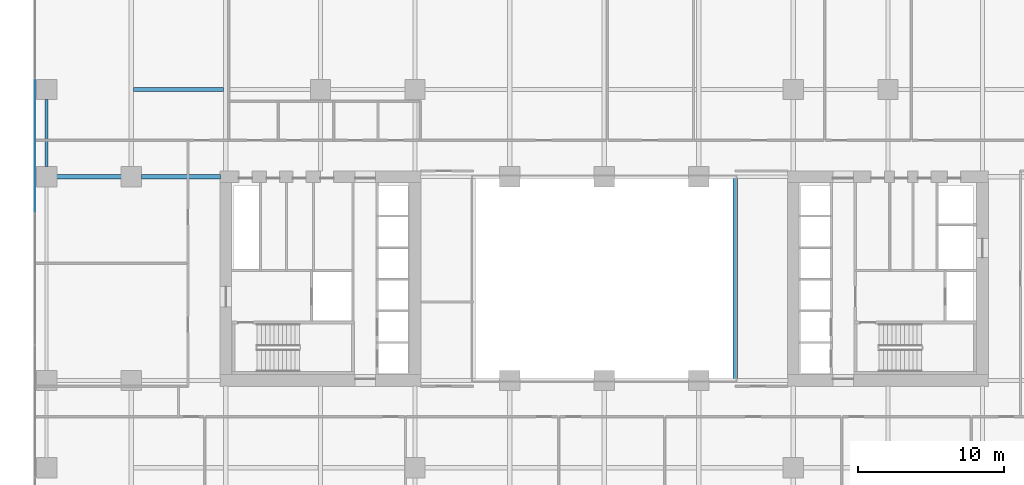
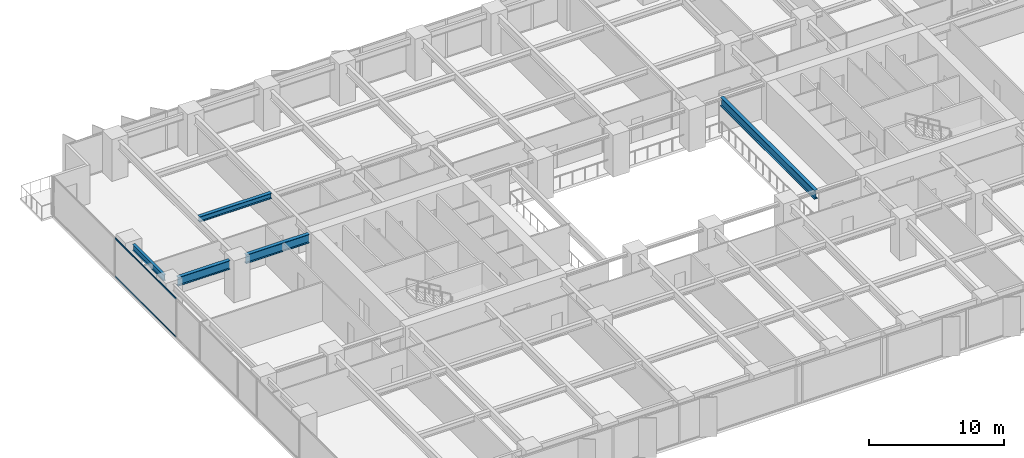
# One storey, part 6 of 20: 5 beams, 2 members, 1 element without a shape of its own.
"""IFC4 building model written with IfcOpenShell, lengths in metres."""

from ifc_helpers import new_model, si_unit, direction, frame, origin, origin_2d, place, context, subcontext, project, spatial, rectangle, i_section, extrude, material, layer, layer_set, material_profile, profile_set, type_object, element, aggregate, save


model = new_model("IFC4")

# Units and contexts
model_context = context("Model", 3, precision=1e-05, world=origin(), true_north=direction((0.0, 1.0)))
body_context = subcontext(model_context, "Body", "Model", "MODEL_VIEW")
ifc_project = project(units=[si_unit("LENGTHUNIT", "METRE"), si_unit("AREAUNIT", "SQUARE_METRE"), si_unit("VOLUMEUNIT", "CUBIC_METRE"), si_unit("PLANEANGLEUNIT", "RADIAN"), si_unit("MASSUNIT", "GRAM", prefix="KILO")], contexts=[model_context])

# Site, building, storey
site_placement = place(None, origin())
site = spatial("IfcSite", under=ifc_project, at=site_placement, CompositionType="ELEMENT")
building_placement = place(site_placement, origin())
building = spatial("IfcBuilding", under=site, at=building_placement, Name="Putna Gate Headquarters", CompositionType="ELEMENT")
storey_placement = place(building_placement, frame((0.0, 0.0, 77.199951171875)))
storey = spatial("IfcBuildingStorey", under=building, at=storey_placement, Name="L18", CompositionType="ELEMENT", Elevation=77.199951171875)

# Beams
ifc_material_1 = material(Name="Steel S355J2", Category="steel")
ifc_material_profile_1 = material_profile(ifc_material_1, i_section(OverallWidth=0.300048828125, OverallDepth=0.800048828125, WebThickness=0.017578125, FlangeThickness=0.032958984375, at=origin_2d()), Name="Steel S355J2")
ifc_profile_set_1 = profile_set([ifc_material_profile_1], Name="Steel S355J2")
beam_type_1 = type_object("IfcBeamType", Name="BM-GIRD-P-HEB800", PredefinedType="USERDEFINED", material=ifc_profile_set_1)
beam_1_placement = place(storey_placement, frame((1.367919921875, 33.0, 3.1201171875), z_axis=(1.0, 0.0, 0.0), x_axis=(0.0, 1.0, 0.0)))
element("IfcBeam", 1, at=beam_1_placement, inside=storey, type_object=beam_type_1, Name="L18 West Wing Girder Y33-1", ObjectType="GIRDER", PredefinedType="USERDEFINED", context=body_context, shape_type="SweptSolid", body=[
    extrude(i_section(OverallWidth=0.300048828125, OverallDepth=0.800048828125, WebThickness=0.017578125, FlangeThickness=0.032958984375, at=origin_2d()), origin(), (0.0, 0.0, 1.0), 4.444091796875),
])
beam_2_placement = place(storey_placement, frame((7.18798828125, 33.0, 3.1201171875), z_axis=(1.0, 0.0, 0.0), x_axis=(0.0, 1.0, 0.0)))
element("IfcBeam", 2, at=beam_2_placement, inside=storey, type_object=beam_type_1, Name="L18 West Wing Girder Y33-2", ObjectType="GIRDER", PredefinedType="USERDEFINED", context=body_context, shape_type="SweptSolid", body=[
    extrude(i_section(OverallWidth=0.300048828125, OverallDepth=0.800048828125, WebThickness=0.017578125, FlangeThickness=0.032958984375, at=origin_2d()), origin(), (0.0, 0.0, 1.0), 5.427001953125),
])
beam_3_placement = place(storey_placement, frame((48.0, 19.010009765625, 3.1201171875), z_axis=(0.0, 1.0, 0.0), x_axis=(-1.0, 0.0, 0.0)))
element("IfcBeam", 3, at=beam_3_placement, inside=storey, type_object=beam_type_1, Name="L18 Atrium Trim Girder AE", ObjectType="GIRDER", PredefinedType="USERDEFINED", context=body_context, shape_type="SweptSolid", body=[
    extrude(i_section(OverallWidth=0.300048828125, OverallDepth=0.800048828125, WebThickness=0.017578125, FlangeThickness=0.032958984375, at=origin_2d()), origin(), (0.0, 0.0, 1.0), 13.97998046875),
])
ifc_material_profile_2 = material_profile(ifc_material_1, i_section(OverallWidth=0.300048828125, OverallDepth=0.5, WebThickness=0.014404296875, FlangeThickness=0.028076171875, at=origin_2d()), Name="Steel S355J2")
ifc_profile_set_2 = profile_set([ifc_material_profile_2], Name="Steel S355J2")
beam_type_2 = type_object("IfcBeamType", Name="BM-GIRD-Z4-HEB500", PredefinedType="USERDEFINED", material=ifc_profile_set_2)
beam_4_placement = place(storey_placement, frame((6.654052734375, 39.0, 3.27001953125), z_axis=(1.0, 0.0, 0.0), x_axis=(0.0, 1.0, 0.0)))
element("IfcBeam", 4, at=beam_4_placement, inside=storey, type_object=beam_type_2, Name="L18 North Secondary Beam 1", ObjectType="GIRDER", PredefinedType="USERDEFINED", context=body_context, shape_type="SweptSolid", body=[
    extrude(i_section(OverallWidth=0.300048828125, OverallDepth=0.5, WebThickness=0.014404296875, FlangeThickness=0.028076171875, at=origin_2d()), origin(), (0.0, 0.0, 1.0), 6.19189453125),
])
ifc_material_profile_3 = material_profile(ifc_material_1, i_section(OverallWidth=0.2099609375, OverallDepth=0.550048828125, WebThickness=0.010986328125, FlangeThickness=0.01708984375, at=origin_2d()), Name="Steel S355J2")
ifc_profile_set_3 = profile_set([ifc_material_profile_3], Name="Steel S355J2")
beam_type_3 = type_object("IfcBeamType", Name="BM-SPAN-Z1-IPE550", PredefinedType="SPANDREL", material=ifc_profile_set_3)
beam_5_placement = place(storey_placement, frame((0.679931640625, 33.68798828125, 3.2451171875), z_axis=(0.0, 1.0, 0.0), x_axis=(-1.0, 0.0, 0.0)))
element("IfcBeam", 5, at=beam_5_placement, inside=storey, type_object=beam_type_3, Name="L18 W End Spandrel 3", PredefinedType="SPANDREL", context=body_context, shape_type="SweptSolid", body=[
    extrude(i_section(OverallWidth=0.2099609375, OverallDepth=0.550048828125, WebThickness=0.010986328125, FlangeThickness=0.01708984375, at=origin_2d()), origin(), (0.0, 0.0, 1.0), 4.6240234375),
])

# Curtain wall, members
ifc_material_2 = material(Name="Anodised bronze aluminium curtain wall", Category="aluminium")
ifc_layer = layer(ifc_material_2, 0.179931640625)
ifc_layer_set = layer_set([ifc_layer], Name="Anodised bronze aluminium curtain wall")
curtain_wall_type = type_object("IfcCurtainWallType", Name="CW-SYS-Z1", PredefinedType="USERDEFINED", material=ifc_layer_set)
curtain_wall_placement = place(storey_placement, origin())
curtain_wall = element("IfcCurtainWall", 6, at=curtain_wall_placement, inside=storey, type_object=curtain_wall_type, Name="L18 West Curtain Wall", ObjectType="STICK CURTAIN WALL", PredefinedType="USERDEFINED")
ifc_material_3 = material(Name="Anodised bronze aluminium EN AW-6060", Category="aluminium")
ifc_material_profile_4 = material_profile(ifc_material_3, rectangle(XDim=0.06494140625, YDim=0.1201171875, at=origin_2d()), Name="Anodised bronze aluminium EN AW-6060")
ifc_profile_set_4 = profile_set([ifc_material_profile_4], Name="Anodised bronze aluminium EN AW-6060")
member_type = type_object("IfcMemberType", Name="TRAN-CWT-1", PredefinedType="USERDEFINED", material=ifc_profile_set_4)
member_1_placement = place(storey_placement, frame((-0.1201171875, 30.594970703125, 0.032470703125), z_axis=(0.0, 1.0, 0.0), x_axis=(-1.0, 0.0, 0.0)))
member_1 = element("IfcMember", 7, at=member_1_placement, type_object=member_type, Name="CWS-1 transom 4.1", ObjectType="TRANSOM", PredefinedType="USERDEFINED", context=body_context, shape_type="SweptSolid", body=[
    extrude(rectangle(XDim=0.06494140625, YDim=0.1201171875, at=origin_2d()), origin(), (0.0, 0.0, 1.0), 9.050048828125),
])
member_2_placement = place(storey_placement, frame((-0.1201171875, 30.594970703125, 3.487548828125), z_axis=(0.0, 1.0, 0.0), x_axis=(-1.0, 0.0, 0.0)))
member_2 = element("IfcMember", 8, at=member_2_placement, type_object=member_type, Name="CWS-1 transom 4.2", ObjectType="TRANSOM", PredefinedType="USERDEFINED", context=body_context, shape_type="SweptSolid", body=[
    extrude(rectangle(XDim=0.06494140625, YDim=0.1201171875, at=origin_2d()), origin(), (0.0, 0.0, 1.0), 9.050048828125),
])
aggregate(curtain_wall, [member_1, member_2])

save(model, "model.ifc")
